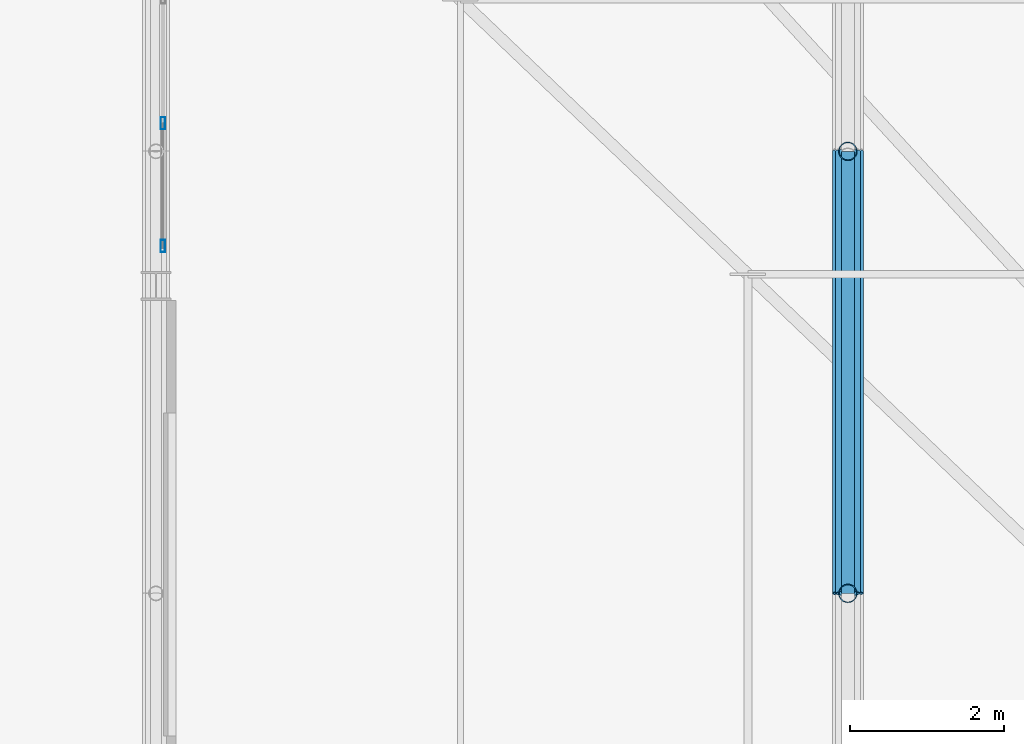
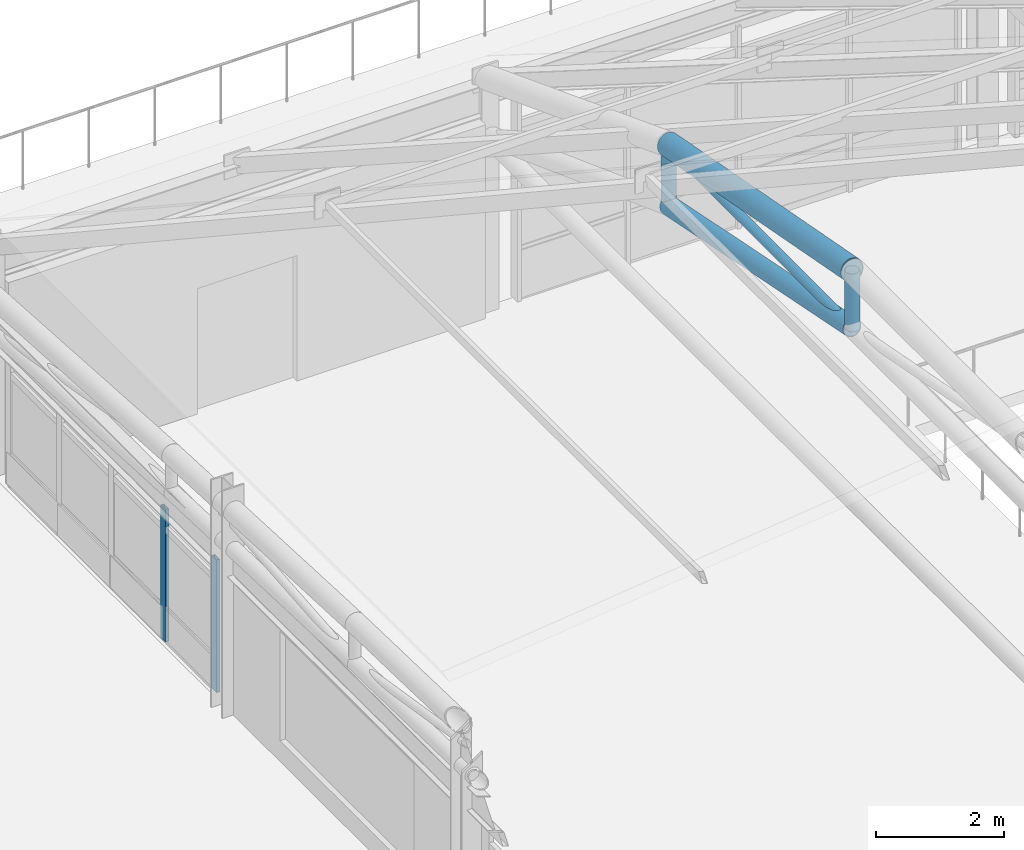
# One storey, part 17 of 168: 6 members, 1 beam, 1 element without a shape of its own.
"""IFC4 building model written with IfcOpenShell, lengths in metres."""

from ifc_helpers import new_model, si_unit, direction, frame, origin, origin_2d, place, context, subcontext, project, spatial, hollow_rectangle, hollow_circle, extrude, material, material_profile, profile_set, type_object, element, aggregate, save


model = new_model("IFC4")

# Units and contexts
model_context = context("Model", 3, precision=1e-05, world=origin(), true_north=direction((0.0, 1.0)))
body_context = subcontext(model_context, "Body", "Model", "MODEL_VIEW")
ifc_project = project(units=[si_unit("LENGTHUNIT", "METRE"), si_unit("AREAUNIT", "SQUARE_METRE"), si_unit("VOLUMEUNIT", "CUBIC_METRE"), si_unit("PLANEANGLEUNIT", "RADIAN"), si_unit("MASSUNIT", "GRAM", prefix="KILO"), si_unit("THERMODYNAMICTEMPERATUREUNIT", "KELVIN"), si_unit("POWERUNIT", "WATT")], contexts=[model_context])

# Site, building, storey
site_placement = place(None, origin())
site = spatial("IfcSite", under=ifc_project, at=site_placement, CompositionType="ELEMENT")
building_placement = place(site_placement, origin())
building = spatial("IfcBuilding", under=site, at=building_placement, Name="Tepalcoro Natatorium and Aquatics Centre", CompositionType="ELEMENT")
storey_placement = place(building_placement, frame((0.0, 0.0, 10.199951171875)))
storey = spatial("IfcBuildingStorey", under=building, at=storey_placement, Name="L02", CompositionType="ELEMENT", Elevation=10.199951171875)

# Beam
ifc_material_1 = material(Name="Terracotta Painted Hollow Steel ASTM A500 Grade C (Fy 345 MPa)", Category="masonry")
ifc_material_profile_1 = material_profile(ifc_material_1, hollow_circle(Radius=0.202880859375, WallThickness=0.01611328125, at=origin_2d()), Name="CHS406X16")
ifc_profile_set_1 = profile_set([ifc_material_profile_1], Name="Terracotta Painted Hollow Steel ASTM A500 Grade C (Fy 345 MPa)")
beam_type = type_object("IfcBeamType", Name="AC_CHS406x16", PredefinedType="USERDEFINED", material=ifc_profile_set_1)
beam_placement = place(storey_placement, frame((62.0, 47.5, 7.677978515625), z_axis=(0.0, 0.982659932579, -0.185416981164), x_axis=(-1.0, 0.0, 0.0)))
element("IfcBeam", 1, at=beam_placement, inside=storey, type_object=beam_type, Name="V1 Arched Truss Top Chord 2", ObjectType="ARCH CHORD", PredefinedType="USERDEFINED", context=body_context, shape_type="SweptSolid", body=[
    extrude(hollow_circle(Radius=0.202880859375, WallThickness=0.01611328125, at=origin_2d()), origin(), (0.0, 0.0, 1.0), 5.8515625),
])

# Curtain wall, members
ifc_material_2 = material(Name="Bronze-Anodised Extruded Aluminium Alloy EN AW-6063 T6", Category="aluminium")
curtain_wall_type = type_object("IfcCurtainWallType", Name="CW_V1_PLINTH", PredefinedType="USERDEFINED", material=ifc_material_2)
curtain_wall_placement = place(storey_placement, origin())
curtain_wall = element("IfcCurtainWall", 2, at=curtain_wall_placement, inside=storey, type_object=curtain_wall_type, Name="V1 L02 W Unitised Curtain Wall Bay 6", ObjectType="UNITISED STOREFRONT", PredefinedType="USERDEFINED")
ifc_material_profile_2 = material_profile(ifc_material_2, hollow_rectangle(XDim=0.06005859375, YDim=0.159912109375, WallThickness=0.00390625, at=origin_2d()), Name="AL60X160X4")
ifc_profile_set_2 = profile_set([ifc_material_profile_2], Name="Bronze-Anodised Extruded Aluminium Alloy EN AW-6063 T6")
member_type_1 = type_object("IfcMemberType", Name="CW_MUL_60x160", PredefinedType="MULLION", material=ifc_profile_set_2)
member_1_placement = place(storey_placement, frame((53.090087890625, 52.02001953125, 0.02001953125), z_axis=(0.0, 0.0, 1.0), x_axis=(1.0, 0.0, 0.0)))
member_1 = element("IfcMember", 3, at=member_1_placement, type_object=member_type_1, Name="CW_V1_PLINTH Curtain Wall Mullion", PredefinedType="MULLION", context=body_context, shape_type="SweptSolid", body=[
    extrude(hollow_rectangle(XDim=0.06005859375, YDim=0.159912109375, WallThickness=0.00390625, at=origin_2d()), origin(), (0.0, 0.0, 1.0), 2.5380859375),
])
member_2_placement = place(storey_placement, frame((53.090087890625, 53.614990234375, 0.02001953125), z_axis=(0.0, 0.0, 1.0), x_axis=(1.0, 0.0, 0.0)))
member_2 = element("IfcMember", 4, at=member_2_placement, type_object=member_type_1, Name="CW_V1_PLINTH Curtain Wall Mullion", PredefinedType="MULLION", context=body_context, shape_type="SweptSolid", body=[
    extrude(hollow_rectangle(XDim=0.06005859375, YDim=0.159912109375, WallThickness=0.00390625, at=origin_2d()), origin(), (0.0, 0.0, 1.0), 2.5380859375),
])
aggregate(curtain_wall, [member_1, member_2])

# Members
ifc_material_profile_3 = material_profile(ifc_material_1, hollow_circle(Radius=0.162109375, WallThickness=0.013916015625, at=origin_2d()), Name="CHS324X14")
ifc_profile_set_3 = profile_set([ifc_material_profile_3], Name="Terracotta Painted Hollow Steel ASTM A500 Grade C (Fy 345 MPa)")
member_type_2 = type_object("IfcMemberType", Name="MB_CH_CHS324x14", PredefinedType="CHORD", material=ifc_profile_set_3)
member_3_placement = place(storey_placement, frame((62.0, 47.5, 6.577880859375), z_axis=(0.0, 0.980591883562, -0.196060087453), x_axis=(-1.0, 0.0, 0.0)))
element("IfcMember", 5, at=member_3_placement, inside=storey, type_object=member_type_2, Name="V1 Arched Truss Bottom Chord 2", PredefinedType="CHORD", context=body_context, shape_type="SweptSolid", body=[
    extrude(hollow_circle(Radius=0.162109375, WallThickness=0.013916015625, at=origin_2d()), origin(), (0.0, 0.0, 1.0), 5.86376953125),
])
ifc_material_profile_4 = material_profile(ifc_material_1, hollow_circle(Radius=0.1220703125, WallThickness=0.011962890625, at=origin_2d()), Name="CHS244X12")
ifc_profile_set_4 = profile_set([ifc_material_profile_4], Name="Terracotta Painted Hollow Steel ASTM A500 Grade C (Fy 345 MPa)")
member_type_3 = type_object("IfcMemberType", Name="MB_PS_CHS244x12", PredefinedType="POST", material=ifc_profile_set_4)
member_4_placement = place(storey_placement, frame((62.0, 47.5, 6.577880859375), z_axis=(0.0, 0.0, 1.0), x_axis=(1.0, 0.0, 0.0)))
element("IfcMember", 6, at=member_4_placement, inside=storey, type_object=member_type_3, Name="V1 Arched Truss Vertical Post 2", PredefinedType="POST", context=body_context, shape_type="SweptSolid", body=[
    extrude(hollow_circle(Radius=0.1220703125, WallThickness=0.011962890625, at=origin_2d()), origin(), (0.0, 0.0, 1.0), 1.10009765625),
])
member_5_placement = place(storey_placement, frame((62.0, 53.25, 5.42822265625), z_axis=(0.0, 0.0, 1.0), x_axis=(1.0, 0.0, 0.0)))
element("IfcMember", 7, at=member_5_placement, inside=storey, type_object=member_type_3, Name="V1 Arched Truss Vertical Post 2", PredefinedType="POST", context=body_context, shape_type="SweptSolid", body=[
    extrude(hollow_circle(Radius=0.1220703125, WallThickness=0.011962890625, at=origin_2d()), origin(), (0.0, 0.0, 1.0), 1.164794921875),
])
ifc_material_profile_5 = material_profile(ifc_material_1, hollow_circle(Radius=0.083984375, WallThickness=0.011962890625, at=origin_2d()), Name="CHS168X12")
ifc_profile_set_5 = profile_set([ifc_material_profile_5], Name="Terracotta Painted Hollow Steel ASTM A500 Grade C (Fy 345 MPa)")
member_type_4 = type_object("IfcMemberType", Name="MB_ST_CHS168x12", PredefinedType="STRUT", material=ifc_profile_set_5)
member_6_placement = place(storey_placement, frame((62.0, 47.5, 6.577880859375), z_axis=(0.0, 0.999996535061, 0.002632463705), x_axis=(-1.0, 0.0, 0.0)))
element("IfcMember", 8, at=member_6_placement, inside=storey, type_object=member_type_4, Name="V1 Arched Truss Web Diagonal 2", PredefinedType="STRUT", context=body_context, shape_type="SweptSolid", body=[
    extrude(hollow_circle(Radius=0.083984375, WallThickness=0.011962890625, at=origin_2d()), origin(), (0.0, 0.0, 1.0), 5.75),
])

save(model, "model.ifc")
